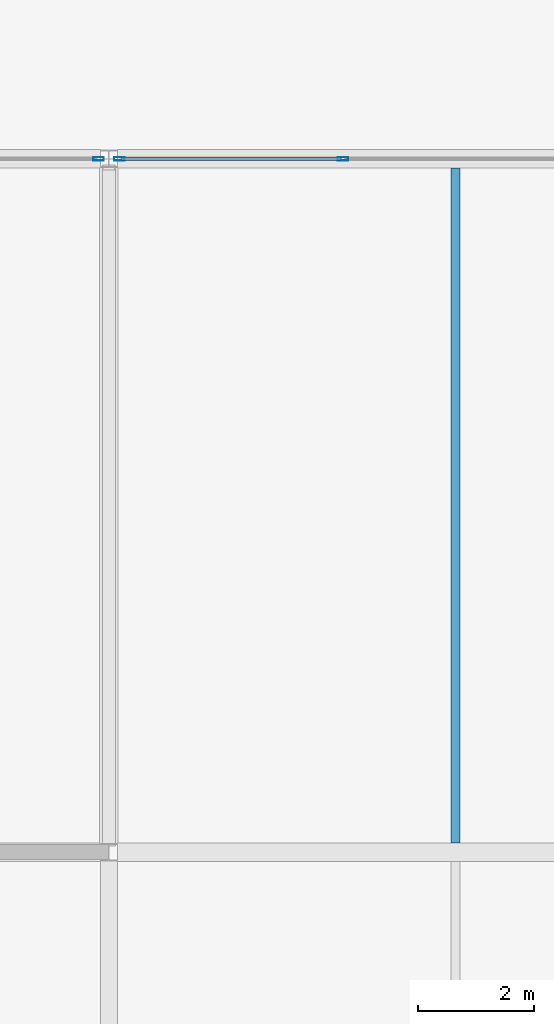
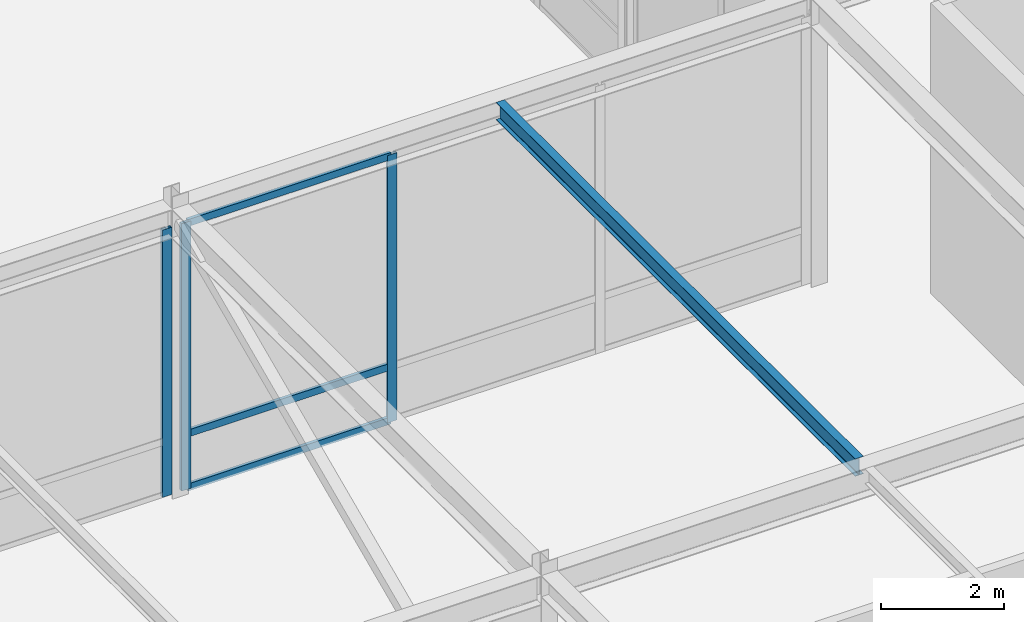
# One storey, part 37 of 108: 6 members, 1 beam, 2 elements without a shape of their own.
"""IFC4 building model written with IfcOpenShell, lengths in metres."""

from ifc_helpers import new_model, si_unit, direction, frame, origin, origin_2d, place, context, subcontext, project, spatial, hollow_rectangle, i_section, extrude, material, layer, layer_set, material_profile, profile_set, type_object, element, aggregate, save


model = new_model("IFC4")

# Units and contexts
model_context = context("Model", 3, precision=1e-05, world=origin(), true_north=direction((0.0, 1.0)))
body_context = subcontext(model_context, "Body", "Model", "MODEL_VIEW")
ifc_project = project(units=[si_unit("LENGTHUNIT", "METRE"), si_unit("AREAUNIT", "SQUARE_METRE"), si_unit("VOLUMEUNIT", "CUBIC_METRE"), si_unit("PLANEANGLEUNIT", "RADIAN"), si_unit("MASSUNIT", "GRAM", prefix="KILO")], contexts=[model_context])

# Site, building, storey
site_placement = place(None, origin())
site = spatial("IfcSite", under=ifc_project, at=site_placement, CompositionType="ELEMENT")
building_placement = place(site_placement, origin())
building = spatial("IfcBuilding", under=site, at=building_placement, Name="Zlatovratsky Civic Hall", CompositionType="ELEMENT")
storey_placement = place(building_placement, frame((0.0, 0.0, 6.0)))
storey = spatial("IfcBuildingStorey", under=building, at=storey_placement, Name="L02", CompositionType="ELEMENT", Elevation=6.0)

# Curtain wall, member
ifc_material_1 = material(Name="Anodised bronze aluminium", Category="aluminium")
ifc_layer = layer(ifc_material_1, 0.159912109375)
ifc_layer_set = layer_set([ifc_layer], Name="Anodised bronze aluminium")
curtain_wall_type = type_object("IfcCurtainWallType", Name="CurtainWall_Bronze_11700x5310_05", PredefinedType="NOTDEFINED", material=ifc_layer_set)
curtain_wall_1_placement = place(storey_placement, origin())
curtain_wall_1 = element("IfcCurtainWall", 1, at=curtain_wall_1_placement, inside=storey, type_object=curtain_wall_type, Name="CW-010", PredefinedType="NOTDEFINED")
ifc_material_profile_1 = material_profile(ifc_material_1, hollow_rectangle(XDim=0.06005859375, YDim=0.179931640625, WallThickness=0.00390625, at=origin_2d()), Name="ALU 60x180x4")
ifc_profile_set_1 = profile_set([ifc_material_profile_1], Name="Anodised bronze aluminium")
member_type_1 = type_object("IfcMemberType", Name="CW_Mullion_60x180", PredefinedType="MULLION", material=ifc_profile_set_1)
member_1_placement = place(storey_placement, frame((35.820068359375, 30.0, 0.0), z_axis=(0.0, 0.0, 1.0), x_axis=(0.0, 1.0, 0.0)))
member_1 = element("IfcMember", 2, at=member_1_placement, type_object=member_type_1, Name="CW-05 mullion 4", PredefinedType="MULLION", context=body_context, shape_type="SweptSolid", body=[
    extrude(hollow_rectangle(XDim=0.06005859375, YDim=0.179931640625, WallThickness=0.00390625, at=origin_2d()), origin(), (0.0, 0.0, 1.0), 5.31005859375),
])
aggregate(curtain_wall_1, [member_1])

# Curtain wall, members
curtain_wall_2_placement = place(storey_placement, origin())
curtain_wall_2 = element("IfcCurtainWall", 3, at=curtain_wall_2_placement, inside=storey, type_object=curtain_wall_type, Name="CW-011", PredefinedType="NOTDEFINED")
member_2_placement = place(storey_placement, frame((36.179931640625, 30.0, 0.0), z_axis=(0.0, 0.0, 1.0), x_axis=(0.0, 1.0, 0.0)))
member_2 = element("IfcMember", 4, at=member_2_placement, type_object=member_type_1, Name="CW-05 mullion 1", PredefinedType="MULLION", context=body_context, shape_type="SweptSolid", body=[
    extrude(hollow_rectangle(XDim=0.06005859375, YDim=0.179931640625, WallThickness=0.00390625, at=origin_2d()), origin(), (0.0, 0.0, 1.0), 5.31005859375),
])
member_3_placement = place(storey_placement, frame((40.050048828125, 30.0, 0.0), z_axis=(0.0, 0.0, 1.0), x_axis=(0.0, 1.0, 0.0)))
member_3 = element("IfcMember", 5, at=member_3_placement, type_object=member_type_1, Name="CW-05 mullion 2", PredefinedType="MULLION", context=body_context, shape_type="SweptSolid", body=[
    extrude(hollow_rectangle(XDim=0.06005859375, YDim=0.179931640625, WallThickness=0.00390625, at=origin_2d()), origin(), (0.0, 0.0, 1.0), 5.31005859375),
])
ifc_material_profile_2 = material_profile(ifc_material_1, hollow_rectangle(XDim=0.06005859375, YDim=0.139892578125, WallThickness=0.00390625, at=origin_2d()), Name="ALU 60x140x4")
ifc_profile_set_2 = profile_set([ifc_material_profile_2], Name="Anodised bronze aluminium")
member_type_2 = type_object("IfcMemberType", Name="CW_Transom_60x140", PredefinedType="USERDEFINED", material=ifc_profile_set_2)
member_4_placement = place(storey_placement, frame((36.2099609375, 30.0, 0.030029296875), z_axis=(1.0, 0.0, 0.0), x_axis=(0.0, 1.0, 0.0)))
member_4 = element("IfcMember", 6, at=member_4_placement, type_object=member_type_2, Name="CW-05 transom 1.1", ObjectType="TRANSOM", PredefinedType="USERDEFINED", context=body_context, shape_type="SweptSolid", body=[
    extrude(hollow_rectangle(XDim=0.06005859375, YDim=0.139892578125, WallThickness=0.00390625, at=origin_2d()), origin(), (0.0, 0.0, 1.0), 3.81005859375),
])
member_5_placement = place(storey_placement, frame((36.2099609375, 30.0, 1.10009765625), z_axis=(1.0, 0.0, 0.0), x_axis=(0.0, 1.0, 0.0)))
member_5 = element("IfcMember", 7, at=member_5_placement, type_object=member_type_2, Name="CW-05 transom 1.2", ObjectType="TRANSOM", PredefinedType="USERDEFINED", context=body_context, shape_type="SweptSolid", body=[
    extrude(hollow_rectangle(XDim=0.06005859375, YDim=0.139892578125, WallThickness=0.00390625, at=origin_2d()), origin(), (0.0, 0.0, 1.0), 3.81005859375),
])
member_6_placement = place(storey_placement, frame((36.2099609375, 30.0, 5.280029296875), z_axis=(1.0, 0.0, 0.0), x_axis=(0.0, 1.0, 0.0)))
member_6 = element("IfcMember", 8, at=member_6_placement, type_object=member_type_2, Name="CW-05 transom 1.3", ObjectType="TRANSOM", PredefinedType="USERDEFINED", context=body_context, shape_type="SweptSolid", body=[
    extrude(hollow_rectangle(XDim=0.06005859375, YDim=0.139892578125, WallThickness=0.00390625, at=origin_2d()), origin(), (0.0, 0.0, 1.0), 3.81005859375),
])
aggregate(curtain_wall_2, [member_2, member_3, member_4, member_5, member_6])

# Beam
ifc_material_2 = material(Name="Steel S355", Category="steel")
ifc_material_profile_3 = material_profile(ifc_material_2, i_section(OverallWidth=0.155029296875, OverallDepth=0.345947265625, WebThickness=0.006103515625, FlangeThickness=0.008544921875, FilletRadius=0.013916015625, at=origin_2d()), Name="35B1")
ifc_profile_set_3 = profile_set([ifc_material_profile_3], Name="Steel S355")
beam_type = type_object("IfcBeamType", Name="Joist_Podium_35B1", PredefinedType="JOIST", material=ifc_profile_set_3)
beam_placement = place(storey_placement, frame((42.0, 18.159912109375, 5.5869140625), z_axis=(0.0, 1.0, 0.0), x_axis=(-1.0, 0.0, 0.0)))
element("IfcBeam", 9, at=beam_placement, inside=storey, type_object=beam_type, Name="BM-2403", PredefinedType="JOIST", context=body_context, shape_type="SweptSolid", body=[
    extrude(i_section(OverallWidth=0.155029296875, OverallDepth=0.345947265625, WebThickness=0.006103515625, FlangeThickness=0.008544921875, FilletRadius=0.013916015625, at=origin_2d()), origin(), (0.0, 0.0, 1.0), 11.68017578125),
])

save(model, "model.ifc")
